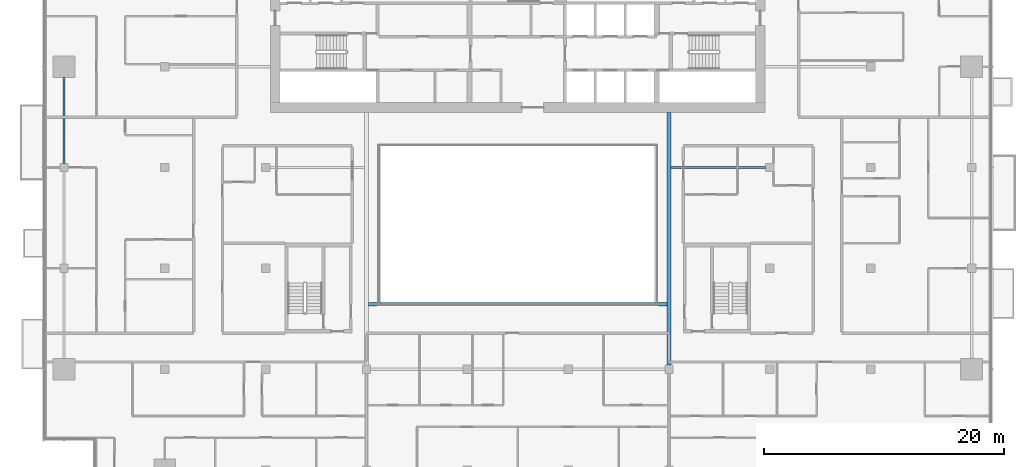
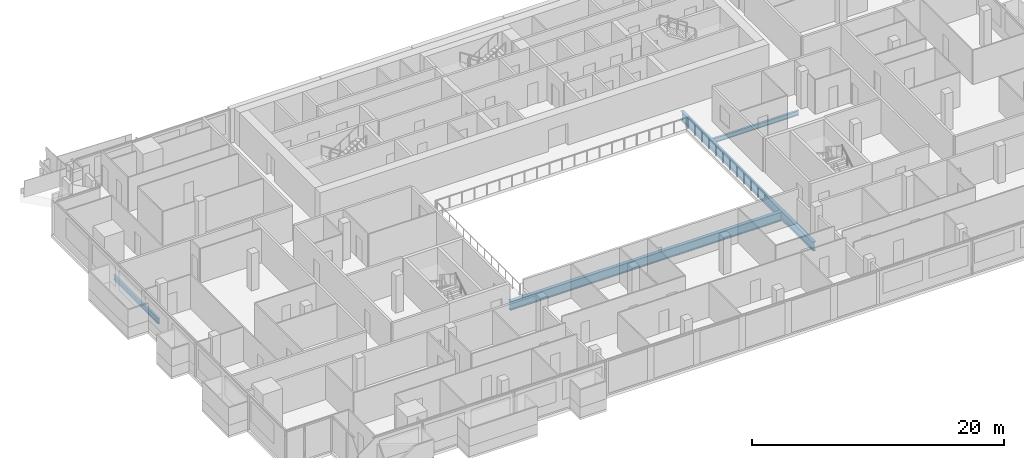
# One storey, part 7 of 30: 4 beams.
"""IFC4 building model written with IfcOpenShell, lengths in metres."""

from ifc_helpers import new_model, si_unit, direction, frame, origin, origin_2d, place, context, subcontext, project, spatial, i_section, extrude, material, material_profile, profile_set, type_object, element, save


model = new_model("IFC4")

# Units and contexts
model_context = context("Model", 3, precision=1e-05, world=origin(), true_north=direction((0.0, 1.0)))
body_context = subcontext(model_context, "Body", "Model", "MODEL_VIEW")
ifc_project = project(units=[si_unit("LENGTHUNIT", "METRE"), si_unit("AREAUNIT", "SQUARE_METRE"), si_unit("VOLUMEUNIT", "CUBIC_METRE"), si_unit("PLANEANGLEUNIT", "RADIAN"), si_unit("MASSUNIT", "GRAM", prefix="KILO")], contexts=[model_context])

# Site, building, storey
site_placement = place(None, origin())
site = spatial("IfcSite", under=ifc_project, at=site_placement, CompositionType="ELEMENT")
building_placement = place(site_placement, origin())
building = spatial("IfcBuilding", under=site, at=building_placement, Name="Saffron Gate Tower", CompositionType="ELEMENT")
storey_placement = place(building_placement, frame((0.0, 0.0, 158.25)))
storey = spatial("IfcBuildingStorey", under=building, at=storey_placement, Name="L38", CompositionType="ELEMENT", Elevation=158.25)

# Beams
ifc_material = material(Name="Structural steel S355", Category="steel")
ifc_material_profile_1 = material_profile(ifc_material, i_section(OverallWidth=0.199951171875, OverallDepth=0.5, WebThickness=0.01025390625, FlangeThickness=0.01611328125, FilletRadius=0.02099609375, at=origin_2d()))
ifc_profile_set_1 = profile_set([ifc_material_profile_1], Name="Structural steel S355")
beam_type_1 = type_object("IfcBeamType", Name="B11 IPE 500", PredefinedType="SPANDREL", material=ifc_profile_set_1)
beam_1_placement = place(storey_placement, frame((49.800048828125, 57.35009765625, -0.530029296875), z_axis=(0.0, 1.0, 0.0), x_axis=(-1.0, 0.0, 0.0)))
element("IfcBeam", 1, at=beam_1_placement, inside=storey, type_object=beam_type_1, Name="B11 SPANDREL BEAM", PredefinedType="SPANDREL", context=body_context, shape_type="SweptSolid", body=[
    extrude(i_section(OverallWidth=0.199951171875, OverallDepth=0.5, WebThickness=0.01025390625, FlangeThickness=0.01611328125, FilletRadius=0.02099609375, at=origin_2d()), origin(), (0.0, 0.0, 1.0), 7.14990234375),
])
ifc_material_profile_2 = material_profile(ifc_material, i_section(OverallWidth=0.300048828125, OverallDepth=0.889892578125, WebThickness=0.01611328125, FlangeThickness=0.030029296875, FilletRadius=0.030029296875, at=origin_2d()))
ifc_profile_set_2 = profile_set([ifc_material_profile_2], Name="Structural steel S355")
beam_type_2 = type_object("IfcBeamType", Name="B19 HEA 900", PredefinedType="BEAM", material=ifc_profile_set_2)
beam_2_placement = place(storey_placement, frame((100.199951171875, 40.550048828125, -0.72509765625), z_axis=(0.0, 1.0, 0.0), x_axis=(-1.0, 0.0, 0.0)))
element("IfcBeam", 2, at=beam_2_placement, inside=storey, type_object=beam_type_2, Name="B19 ATRIUM GIRDER", PredefinedType="BEAM", context=body_context, shape_type="SweptSolid", body=[
    extrude(i_section(OverallWidth=0.300048828125, OverallDepth=0.889892578125, WebThickness=0.01611328125, FlangeThickness=0.030029296875, FilletRadius=0.030029296875, at=origin_2d()), origin(), (0.0, 0.0, 1.0), 21.050048828125),
])
beam_3_placement = place(storey_placement, frame((75.14990234375, 45.60009765625, -0.72509765625), z_axis=(1.0, 0.0, 0.0), x_axis=(0.0, 1.0, 0.0)))
element("IfcBeam", 3, at=beam_3_placement, inside=storey, type_object=beam_type_2, Name="B19 ATRIUM GIRDER", PredefinedType="BEAM", context=body_context, shape_type="SweptSolid", body=[
    extrude(i_section(OverallWidth=0.300048828125, OverallDepth=0.889892578125, WebThickness=0.01611328125, FlangeThickness=0.030029296875, FilletRadius=0.030029296875, at=origin_2d()), origin(), (0.0, 0.0, 1.0), 24.900146484375),
])
ifc_material_profile_3 = material_profile(ifc_material, i_section(OverallWidth=0.18994140625, OverallDepth=0.449951171875, WebThickness=0.009521484375, FlangeThickness=0.0146484375, FilletRadius=0.02099609375, at=origin_2d()))
ifc_profile_set_3 = profile_set([ifc_material_profile_3], Name="Structural steel S355")
beam_type_3 = type_object("IfcBeamType", Name="B6 IPE 450", PredefinedType="BEAM", material=ifc_profile_set_3)
beam_4_placement = place(storey_placement, frame((108.25, 57.0, -0.5048828125), z_axis=(-1.0, 0.0, 0.0), x_axis=(0.0, -1.0, 0.0)))
element("IfcBeam", 4, at=beam_4_placement, inside=storey, type_object=beam_type_3, Name="B6 CORE TIE BEAM", PredefinedType="BEAM", context=body_context, shape_type="SweptSolid", body=[
    extrude(i_section(OverallWidth=0.18994140625, OverallDepth=0.449951171875, WebThickness=0.009521484375, FlangeThickness=0.0146484375, FilletRadius=0.02099609375, at=origin_2d()), origin(), (0.0, 0.0, 1.0), 7.89990234375),
])

save(model, "model.ifc")
